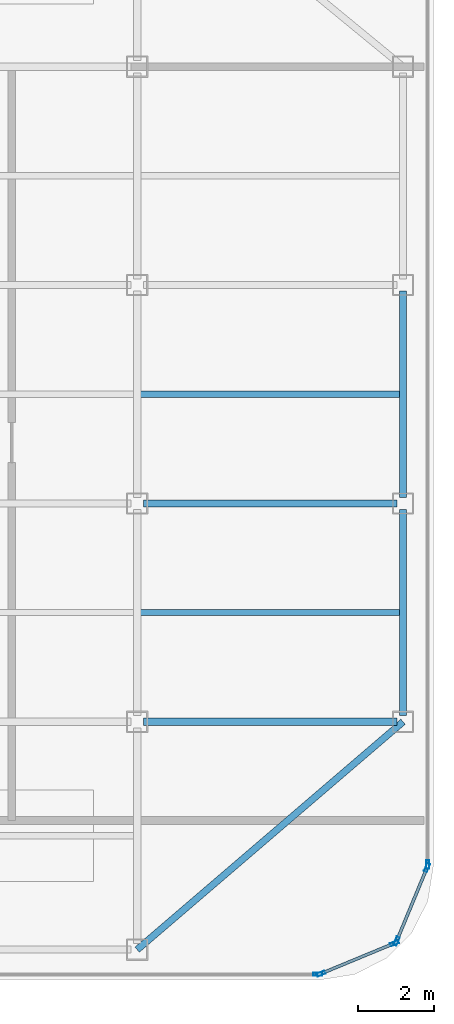
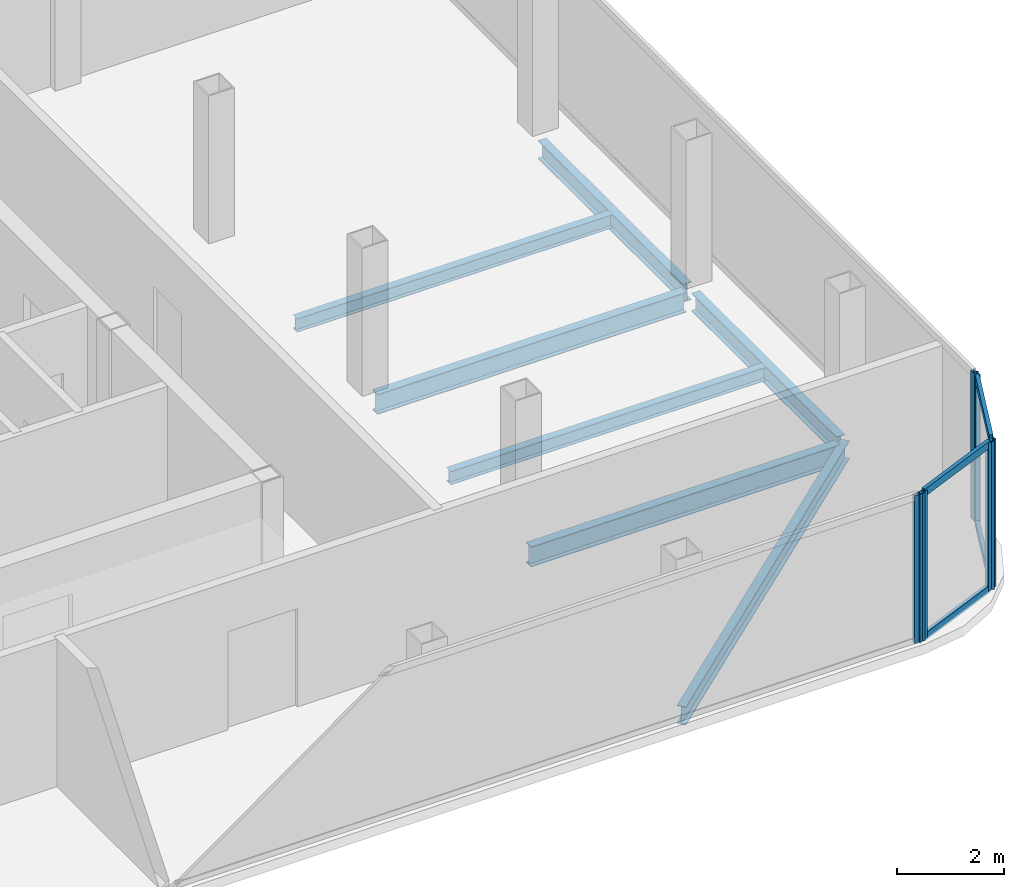
# One storey, part 6 of 11: 10 members, 7 beams, 4 elements without a shape of their own.
"""IFC4 building model written with IfcOpenShell, lengths in metres."""

from ifc_helpers import new_model, si_unit, direction, frame, origin, origin_2d, place, context, subcontext, project, spatial, hollow_rectangle, i_section, extrude, source, transform, mapped, material, layer, layer_set, material_profile, profile_set, type_object, element, aggregate, save


model = new_model("IFC4")

# Units and contexts
model_context = context("Model", 3, precision=1e-05, world=origin(), true_north=direction((0.0, 1.0)))
body_context = subcontext(model_context, "Body", "Model", "MODEL_VIEW")
ifc_project = project(units=[si_unit("LENGTHUNIT", "METRE"), si_unit("AREAUNIT", "SQUARE_METRE"), si_unit("VOLUMEUNIT", "CUBIC_METRE"), si_unit("PLANEANGLEUNIT", "RADIAN"), si_unit("MASSUNIT", "GRAM", prefix="KILO")], contexts=[model_context])

# Site, building, storey
site_placement = place(None, origin())
site = spatial("IfcSite", under=ifc_project, at=site_placement, CompositionType="ELEMENT")
building_placement = place(site_placement, origin())
building = spatial("IfcBuilding", under=site, at=building_placement, Name="Kolveth Station Tower", CompositionType="ELEMENT")
storey_placement = place(building_placement, frame((0.0, 0.0, 274.89990234375)))
storey = spatial("IfcBuildingStorey", under=building, at=storey_placement, Name="L79", CompositionType="ELEMENT", Elevation=274.89990234375)

# Beams
ifc_material_1 = material(Name="Steel S355", Category="steel")
ifc_material_profile_1 = material_profile(ifc_material_1, i_section(OverallWidth=0.180908203125, OverallDepth=0.4169921875, WebThickness=0.010986328125, FlangeThickness=0.018310546875, at=origin_2d()), Name="W410x85")
ifc_profile_set_1 = profile_set([ifc_material_profile_1], Name="Steel S355")
beam_type_1 = type_object("IfcBeamType", Name="Beam_B8", PredefinedType="BEAM", material=ifc_profile_set_1)
shared_shape_1 = source(origin(), body_context, "Body", "SweptSolid", [
    extrude(i_section(OverallWidth=0.180908203125, OverallDepth=0.4169921875, WebThickness=0.010986328125, FlangeThickness=0.018310546875, at=origin_2d()), origin(), (0.0, 0.0, 1.0), 5.43017578125),
])
for number, where, z_axis, x_axis, name in (
    (1, (41.0, 11.659912109375, -0.428466796875), (0.0, 1.0, 0.0), (-1.0, 0.0, 0.0), "L79 Perimeter Spandrel BM-L79-PE-1"),
    (2, (41.0, 17.409912109375, -0.428466796875), (0.0, 1.0, 0.0), (-1.0, 0.0, 0.0), "L79 Perimeter Spandrel BM-L79-PE-2"),
):
    element("IfcBeam", number, at=place(storey_placement, frame(where, z_axis=z_axis, x_axis=x_axis)), inside=storey, type_object=beam_type_1, Name=name, PredefinedType="BEAM", context=body_context, shape_type="MappedRepresentation", body=[
        mapped(shared_shape_1, transform((0.0, 0.0, 0.0), x_axis=(1.0, 0.0, 0.0), y_axis=(0.0, 1.0, 0.0), z_axis=(0.0, 0.0, 1.0), scale=1.0)),
    ])
shared_shape_2 = source(origin(), body_context, "Body", "SweptSolid", [
    extrude(i_section(OverallWidth=0.180908203125, OverallDepth=0.4169921875, WebThickness=0.010986328125, FlangeThickness=0.018310546875, at=origin_2d()), origin(), (0.0, 0.0, 1.0), 9.219482421875),
])
beam_placement = place(storey_placement, frame((34.0, 5.5, -0.428466796875), z_axis=(0.759256602365, 0.650791373456, 0.0), x_axis=(-0.650791373456, 0.759256602365, 0.0)))
element("IfcBeam", 3, at=beam_placement, inside=storey, type_object=beam_type_1, Name="L79 Corner Edge Girder BM-L79-CNR-SE", PredefinedType="BEAM", context=body_context, shape_type="MappedRepresentation", body=[
    mapped(shared_shape_2, transform((0.0, 0.0, 0.0), x_axis=(1.0, 0.0, 0.0), y_axis=(0.0, 1.0, 0.0), z_axis=(0.0, 0.0, 1.0), scale=1.0)),
])
ifc_material_profile_2 = material_profile(ifc_material_1, i_section(OverallWidth=0.19091796875, OverallDepth=0.4599609375, WebThickness=0.010009765625, FlangeThickness=0.01611328125, at=origin_2d()), Name="W460x82")
ifc_profile_set_2 = profile_set([ifc_material_profile_2], Name="Steel S355")
beam_type_2 = type_object("IfcBeamType", Name="Beam_B7", PredefinedType="BEAM", material=ifc_profile_set_2)
shared_shape_3 = source(origin(), body_context, "Body", "SweptSolid", [
    extrude(i_section(OverallWidth=0.19091796875, OverallDepth=0.4599609375, WebThickness=0.010009765625, FlangeThickness=0.01611328125, at=origin_2d()), origin(), (0.0, 0.0, 1.0), 6.68017578125),
])
for number, where, z_axis, x_axis, name in (
    (4, (34.159912109375, 11.5, -0.449951171875), (1.0, 0.0, 0.0), (0.0, 1.0, 0.0), "L79 Primary Girder BM-L79-GY115-5"),
    (5, (34.159912109375, 17.25, -0.449951171875), (1.0, 0.0, 0.0), (0.0, 1.0, 0.0), "L79 Primary Girder BM-L79-GY172-5"),
):
    element("IfcBeam", number, at=place(storey_placement, frame(where, z_axis=z_axis, x_axis=x_axis)), inside=storey, type_object=beam_type_2, Name=name, PredefinedType="BEAM", context=body_context, shape_type="MappedRepresentation", body=[
        mapped(shared_shape_3, transform((0.0, 0.0, 0.0), x_axis=(1.0, 0.0, 0.0), y_axis=(0.0, 1.0, 0.0), z_axis=(0.0, 0.0, 1.0), scale=1.0)),
    ])
ifc_material_profile_3 = material_profile(ifc_material_1, i_section(OverallWidth=0.1650390625, OverallDepth=0.31005859375, WebThickness=0.005859375, FlangeThickness=0.009765625, at=origin_2d()), Name="W310x39")
ifc_profile_set_3 = profile_set([ifc_material_profile_3], Name="Steel S355")
beam_type_3 = type_object("IfcBeamType", Name="Beam_J3", PredefinedType="JOIST", material=ifc_profile_set_3)
shared_shape_4 = source(origin(), body_context, "Body", "SweptSolid", [
    extrude(i_section(OverallWidth=0.1650390625, OverallDepth=0.31005859375, WebThickness=0.005859375, FlangeThickness=0.009765625, at=origin_2d()), origin(), (0.0, 0.0, 1.0), 6.818115234375),
])
for number, where, z_axis, x_axis, name in (
    (6, (34.093505859375, 14.375, -0.375), (1.0, 0.0, 0.0), (0.0, 1.0, 0.0), "L79 Secondary Joist JST-L79-5-2"),
    (7, (34.093505859375, 20.125, -0.375), (1.0, 0.0, 0.0), (0.0, 1.0, 0.0), "L79 Secondary Joist JST-L79-5-3"),
):
    element("IfcBeam", number, at=place(storey_placement, frame(where, z_axis=z_axis, x_axis=x_axis)), inside=storey, type_object=beam_type_3, Name=name, PredefinedType="JOIST", context=body_context, shape_type="MappedRepresentation", body=[
        mapped(shared_shape_4, transform((0.0, 0.0, 0.0), x_axis=(1.0, 0.0, 0.0), y_axis=(0.0, 1.0, 0.0), z_axis=(0.0, 0.0, 1.0), scale=1.0)),
    ])

# Curtain wall, members
ifc_material_2 = material(Name="Black anodized aluminium 6063-T6 and dark crown glass", Category="aluminium")
ifc_layer = layer(ifc_material_2, 0.169921875)
ifc_layer_set = layer_set([ifc_layer], Name="Black anodized aluminium 6063-T6 and dark crown glass")
curtain_wall_type = type_object("IfcCurtainWallType", Name="CurtainWall_CW-CR", PredefinedType="NOTDEFINED", material=ifc_layer_set)
curtain_wall_1_placement = place(storey_placement, origin())
curtain_wall_1 = element("IfcCurtainWall", 8, at=curtain_wall_1_placement, inside=storey, type_object=curtain_wall_type, Name="L79 Stepped Crown Curtain Wall 1", PredefinedType="NOTDEFINED")
ifc_material_3 = material(Name="Black anodized aluminium 6063-T6", Category="aluminium")
ifc_material_profile_4 = material_profile(ifc_material_3, hollow_rectangle(XDim=0.080078125, YDim=0.1650390625, WallThickness=0.0048828125, at=origin_2d()), Name="ALU-80x165x5")
ifc_profile_set_4 = profile_set([ifc_material_profile_4], Name="Black anodized aluminium 6063-T6")
member_type_1 = type_object("IfcMemberType", Name="Transom_TR-CR", PredefinedType="USERDEFINED", material=ifc_profile_set_4)
shared_shape_5 = source(origin(), body_context, "Body", "SweptSolid", [
    extrude(hollow_rectangle(XDim=0.080078125, YDim=0.1650390625, WallThickness=0.0048828125, at=origin_2d()), origin(), (0.0, 0.0, 1.0), 2.011474609375),
])
member_1_placement = place(storey_placement, frame((38.87841796875, 4.882568359375, 0.0400390625), z_axis=(0.92392216698, 0.382580487431, 0.0), x_axis=(-0.382580487431, 0.92392216698, 0.0)))
member_1 = element("IfcMember", 9, at=member_1_placement, type_object=member_type_1, Name="CW-CR transom 1.1", ObjectType="TRANSOM", PredefinedType="USERDEFINED", context=body_context, shape_type="MappedRepresentation", body=[
    mapped(shared_shape_5, transform((0.0, 0.0, 0.0), x_axis=(1.0, 0.0, 0.0), y_axis=(0.0, 1.0, 0.0), z_axis=(0.0, 0.0, 1.0), scale=1.0)),
])
member_2_placement = place(storey_placement, frame((38.87841796875, 4.882568359375, 3.340087890625), z_axis=(0.92392216698, 0.382580487431, 0.0), x_axis=(-0.382580487431, 0.92392216698, 0.0)))
member_2 = element("IfcMember", 10, at=member_2_placement, type_object=member_type_1, Name="CW-CR transom 1.2", ObjectType="TRANSOM", PredefinedType="USERDEFINED", context=body_context, shape_type="MappedRepresentation", body=[
    mapped(shared_shape_5, transform((0.0, 0.0, 0.0), x_axis=(1.0, 0.0, 0.0), y_axis=(0.0, 1.0, 0.0), z_axis=(0.0, 0.0, 1.0), scale=1.0)),
])

curtain_wall_2_placement = place(storey_placement, origin())
curtain_wall_2 = element("IfcCurtainWall", 11, at=curtain_wall_2_placement, inside=storey, type_object=curtain_wall_type, Name="L79 Stepped Crown Curtain Wall 2", PredefinedType="NOTDEFINED")
member_3_placement = place(storey_placement, frame((40.847900390625, 5.76318359375, 0.0400390625), z_axis=(0.382580487431, 0.92392216698, 0.0), x_axis=(-0.92392216698, 0.382580487431, 0.0)))
member_3 = element("IfcMember", 12, at=member_3_placement, type_object=member_type_1, Name="CW-CR transom 1.1", ObjectType="TRANSOM", PredefinedType="USERDEFINED", context=body_context, shape_type="MappedRepresentation", body=[
    mapped(shared_shape_5, transform((0.0, 0.0, 0.0), x_axis=(1.0, 0.0, 0.0), y_axis=(0.0, 1.0, 0.0), z_axis=(0.0, 0.0, 1.0), scale=1.0)),
])
member_4_placement = place(storey_placement, frame((40.847900390625, 5.76318359375, 3.340087890625), z_axis=(0.382580487431, 0.92392216698, 0.0), x_axis=(-0.92392216698, 0.382580487431, 0.0)))
member_4 = element("IfcMember", 13, at=member_4_placement, type_object=member_type_1, Name="CW-CR transom 1.2", ObjectType="TRANSOM", PredefinedType="USERDEFINED", context=body_context, shape_type="MappedRepresentation", body=[
    mapped(shared_shape_5, transform((0.0, 0.0, 0.0), x_axis=(1.0, 0.0, 0.0), y_axis=(0.0, 1.0, 0.0), z_axis=(0.0, 0.0, 1.0), scale=1.0)),
])

# Member
ifc_material_profile_5 = material_profile(ifc_material_3, hollow_rectangle(XDim=0.0849609375, YDim=0.22998046875, WallThickness=0.0048828125, at=origin_2d()), Name="ALU-85x230x5")
ifc_profile_set_5 = profile_set([ifc_material_profile_5], Name="Black anodized aluminium 6063-T6")
member_type_2 = type_object("IfcMemberType", Name="Mullion_ML-CR", PredefinedType="MULLION", material=ifc_profile_set_5)
shared_shape_6 = source(origin(), body_context, "Body", "SweptSolid", [
    extrude(hollow_rectangle(XDim=0.0849609375, YDim=0.22998046875, WallThickness=0.0048828125, at=origin_2d()), origin(), (0.0, 0.0, 1.0), 3.380126953125),
])
member_5_placement = place(storey_placement, frame((38.83935546875, 4.8662109375, 0.0), z_axis=(0.0, 0.0, 1.0), x_axis=(-0.382658157192, 0.923890001426, 0.0)))
member_5 = element("IfcMember", 14, at=member_5_placement, type_object=member_type_2, Name="CW-CR mullion 1", PredefinedType="MULLION", context=body_context, shape_type="MappedRepresentation", body=[
    mapped(shared_shape_6, transform((0.0, 0.0, 0.0), x_axis=(1.0, 0.0, 0.0), y_axis=(0.0, 1.0, 0.0), z_axis=(0.0, 0.0, 1.0), scale=1.0)),
])

member_6_placement = place(storey_placement, frame((40.776123046875, 5.66845703125, 0.0), z_axis=(0.0, 0.0, 1.0), x_axis=(-0.382658157192, 0.923890001426, 0.0)))
member_6 = element("IfcMember", 15, at=member_6_placement, type_object=member_type_2, Name="CW-CR mullion 2", PredefinedType="MULLION", context=body_context, shape_type="MappedRepresentation", body=[
    mapped(shared_shape_6, transform((0.0, 0.0, 0.0), x_axis=(1.0, 0.0, 0.0), y_axis=(0.0, 1.0, 0.0), z_axis=(0.0, 0.0, 1.0), scale=1.0)),
])

aggregate(curtain_wall_1, [member_5, member_6, member_1, member_2])

member_7_placement = place(storey_placement, frame((40.83154296875, 5.723876953125, 0.0), z_axis=(0.0, 0.0, 1.0), x_axis=(-0.923890001426, 0.382658157192, 0.0)))
member_7 = element("IfcMember", 16, at=member_7_placement, type_object=member_type_2, Name="CW-CR mullion 1", PredefinedType="MULLION", context=body_context, shape_type="MappedRepresentation", body=[
    mapped(shared_shape_6, transform((0.0, 0.0, 0.0), x_axis=(1.0, 0.0, 0.0), y_axis=(0.0, 1.0, 0.0), z_axis=(0.0, 0.0, 1.0), scale=1.0)),
])

member_8_placement = place(storey_placement, frame((41.6337890625, 7.66064453125, 0.0), z_axis=(0.0, 0.0, 1.0), x_axis=(-0.923890001426, 0.382658157192, 0.0)))
member_8 = element("IfcMember", 17, at=member_8_placement, type_object=member_type_2, Name="CW-CR mullion 2", PredefinedType="MULLION", context=body_context, shape_type="MappedRepresentation", body=[
    mapped(shared_shape_6, transform((0.0, 0.0, 0.0), x_axis=(1.0, 0.0, 0.0), y_axis=(0.0, 1.0, 0.0), z_axis=(0.0, 0.0, 1.0), scale=1.0)),
])

aggregate(curtain_wall_2, [member_7, member_8, member_3, member_4])

# Curtain wall, member
curtain_wall_3_placement = place(storey_placement, origin())
curtain_wall_3 = element("IfcCurtainWall", 18, at=curtain_wall_3_placement, inside=storey, type_object=curtain_wall_type, Name="L79 Stepped Crown Curtain Wall 3", PredefinedType="NOTDEFINED")
member_9_placement = place(storey_placement, frame((41.64990234375, 7.742431640625, 0.0), z_axis=(0.0, 0.0, 1.0), x_axis=(-1.0, 0.0, 0.0)))
member_9 = element("IfcMember", 19, at=member_9_placement, type_object=member_type_2, Name="CW-CR mullion 1", PredefinedType="MULLION", context=body_context, shape_type="MappedRepresentation", body=[
    mapped(shared_shape_6, transform((0.0, 0.0, 0.0), x_axis=(1.0, 0.0, 0.0), y_axis=(0.0, 1.0, 0.0), z_axis=(0.0, 0.0, 1.0), scale=1.0)),
])
aggregate(curtain_wall_3, [member_9])

curtain_wall_4_placement = place(storey_placement, origin())
curtain_wall_4 = element("IfcCurtainWall", 20, at=curtain_wall_4_placement, inside=storey, type_object=curtain_wall_type, Name="L79 Stepped Crown Curtain Wall 12", PredefinedType="NOTDEFINED")
member_10_placement = place(storey_placement, frame((38.757568359375, 4.85009765625, 0.0), z_axis=(0.0, 0.0, 1.0), x_axis=(0.0, 1.0, 0.0)))
member_10 = element("IfcMember", 21, at=member_10_placement, type_object=member_type_2, Name="CW-CR mullion 2", PredefinedType="MULLION", context=body_context, shape_type="MappedRepresentation", body=[
    mapped(shared_shape_6, transform((0.0, 0.0, 0.0), x_axis=(1.0, 0.0, 0.0), y_axis=(0.0, 1.0, 0.0), z_axis=(0.0, 0.0, 1.0), scale=1.0)),
])
aggregate(curtain_wall_4, [member_10])

save(model, "model.ifc")
